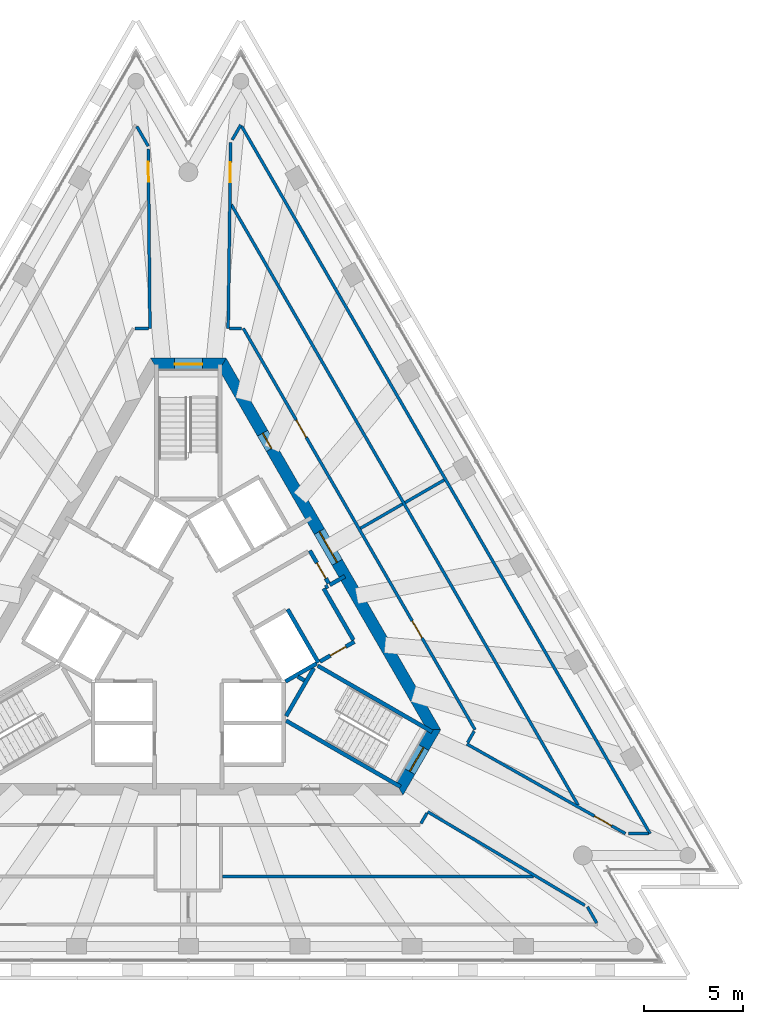
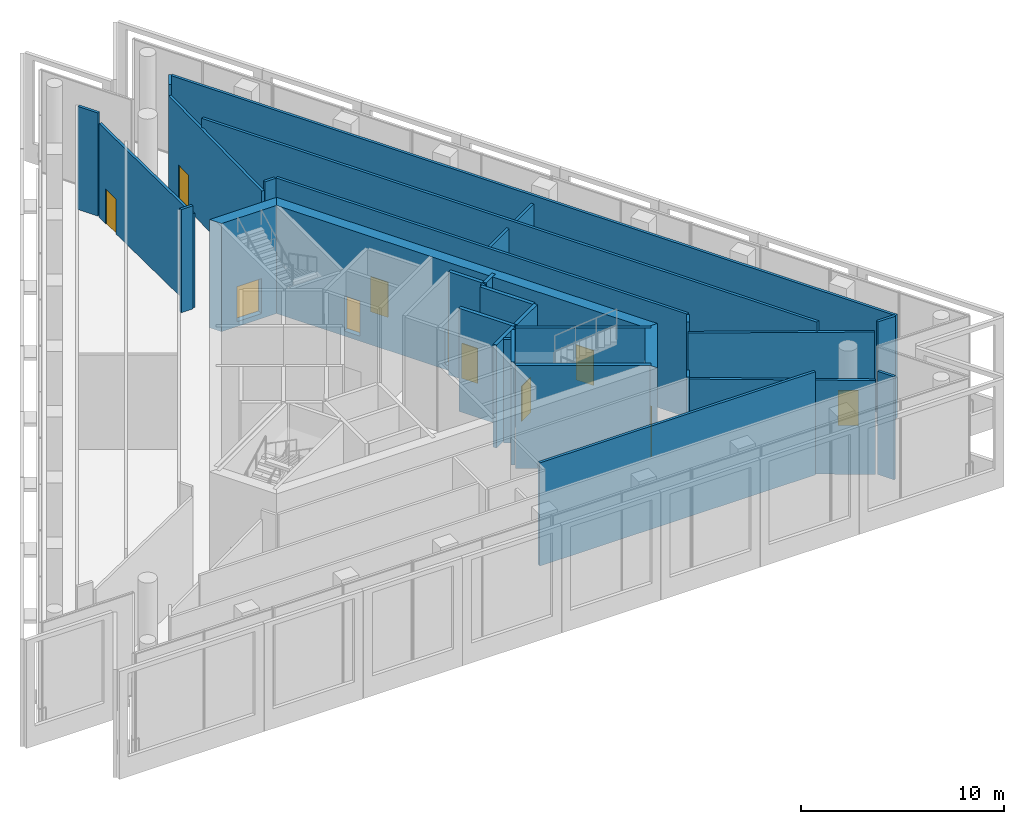
# One storey, part 12 of 16: 32 walls, 11 doors, 11 openings.
"""IFC4 building model written with IfcOpenShell, lengths in metres."""

from ifc_helpers import new_model, si_unit, direction, frame, frame_2d, origin, place, context, subcontext, project, spatial, polyline, rectangle, outline, extrude, material, layer, layer_set, type_object, element, fill, save


model = new_model("IFC4")

# Units and contexts
model_context = context("Model", 3, precision=1e-05, world=origin(), true_north=direction((0.0, 1.0)))
body_context = subcontext(model_context, "Body", "Model", "MODEL_VIEW")
ifc_project = project(units=[si_unit("LENGTHUNIT", "METRE"), si_unit("AREAUNIT", "SQUARE_METRE"), si_unit("VOLUMEUNIT", "CUBIC_METRE"), si_unit("PLANEANGLEUNIT", "RADIAN"), si_unit("MASSUNIT", "GRAM", prefix="KILO")], contexts=[model_context])

# Site, building, storey
site_placement = place(None, origin())
site = spatial("IfcSite", under=ifc_project, at=site_placement, CompositionType="ELEMENT")
building_placement = place(site_placement, origin())
building = spatial("IfcBuilding", under=site, at=building_placement, Name="Triada Interchange Tower", CompositionType="ELEMENT")
storey_placement = place(building_placement, frame((0.0, 0.0, 261.800048828125)))
storey = spatial("IfcBuildingStorey", under=building, at=storey_placement, Name="L61", CompositionType="ELEMENT", Elevation=261.800048828125)

# Walls
ifc_material_1 = material(Name="Concrete C30/37", Category="concrete")
ifc_layer_1 = layer(ifc_material_1, 0.199951171875)
ifc_layer_set_1 = layer_set([ifc_layer_1], Name="CORE WALL 200 EI 120")
wall_type_1 = type_object("IfcWallType", Name="CORE WALL 200 EI 120", PredefinedType="SOLIDWALL", material=ifc_layer_set_1)
wall_1_placement = place(storey_placement, frame((5.007080078125, 0.927978515625, 0.0), z_axis=(0.0, 0.0, 1.0), x_axis=(0.499899694197, -0.866083307622, 0.0)))
element("IfcWall", 1, at=wall_1_placement, inside=storey, type_object=wall_type_1, Name="Wall L61 55", PredefinedType="SOLIDWALL", context=body_context, shape_type="SweptSolid", body=[
    extrude(rectangle(XDim=3.100341796875, YDim=0.199951171875, at=frame_2d((1.55029296875, 0.0))), origin(), (0.0, 0.0, 1.0), 6.199951171875),
])
wall_2_placement = place(storey_placement, frame((7.12890625, 2.153076171875, 0.0), z_axis=(0.0, 0.0, 1.0), x_axis=(0.866083962871, 0.499898558967, 0.0)))
element("IfcWall", 2, at=wall_2_placement, inside=storey, type_object=wall_type_1, Name="Wall L61 57", PredefinedType="SOLIDWALL", context=body_context, shape_type="SweptSolid", body=[
    extrude(rectangle(XDim=0.880126953125, YDim=0.199951171875, at=frame_2d((0.43994140625, 0.0))), origin(), (0.0, 0.0, 1.0), 6.199951171875),
])

# Wall, opening, door
wall_3_placement = place(storey_placement, frame((6.12890625, 3.885009765625, 0.0), z_axis=(0.0, 0.0, 1.0), x_axis=(0.499952260202, -0.866052964615, 0.0)))
wall_3 = element("IfcWall", 3, at=wall_3_placement, inside=storey, type_object=wall_type_1, Name="Wall L61 58", PredefinedType="SOLIDWALL", context=body_context, shape_type="SweptSolid", body=[
    extrude(rectangle(XDim=1.900634765625, YDim=0.199951171875, at=frame_2d((0.9501953125, 0.0))), origin(), (0.0, 0.0, 1.0), 6.199951171875),
])
opening_1_placement = place(wall_3_placement, frame((0.7099609375, 0.0, 0.0)))
opening_1 = element("IfcOpeningElement", 4, at=opening_1_placement, cuts=wall_3, Name="Opening D61-34", PredefinedType="OPENING", context=body_context, shape_type="SweptSolid", body=[
    extrude(rectangle(XDim=0.89990234375, YDim=2.10009765625, at=frame_2d((0.449951171875, 1.050048828125))), frame((0.0, 0.10986328125, 0.0), z_axis=(0.0, -1.0, 0.0), x_axis=(1.0, 0.0, 0.0)), (0.0, 0.0, 1.0), 0.219970703125),
])
ifc_material_2 = material(Name="Steel S235 door leaf", Category="steel")
door_type_1 = type_object("IfcDoorType", Name="SERVICE DOOR 900 EI2 45-C5S200", OperationType="NOTDEFINED", PredefinedType="DOOR", material=ifc_material_2)
door_1_placement = place(opening_1_placement, origin())
door_1 = element("IfcDoor", 5, at=door_1_placement, inside=storey, type_object=door_type_1, Name="Door D61-34 L61", OperationType="SINGLE_SWING_RIGHT", OverallHeight=2.10009765625, OverallWidth=0.89990234375, PredefinedType="DOOR", context=body_context, shape_type="SweptSolid", body=[
    extrude(rectangle(XDim=0.89990234375, YDim=2.10009765625, at=frame_2d((0.449951171875, 1.050048828125))), frame((0.0, 0.02490234375, 0.0), z_axis=(0.0, -1.0, 0.0), x_axis=(1.0, 0.0, 0.0)), (0.0, 0.0, 1.0), 0.050048828125),
])
fill(opening_1, door_1)

# Walls
wall_4_placement = place(storey_placement, frame((4.89990234375, -2.714111328125, 0.0), z_axis=(0.0, 0.0, 1.0), x_axis=(0.865846928409, 0.500309001083, 0.0)))
element("IfcWall", 6, at=wall_4_placement, inside=storey, type_object=wall_type_1, Name="Wall L61 61", PredefinedType="SOLIDWALL", context=body_context, shape_type="SweptSolid", body=[
    extrude(rectangle(XDim=1.813232421875, YDim=0.199951171875, at=frame_2d((0.90673828125, 0.0))), origin(), (0.0, 0.0, 1.0), 6.199951171875),
])
ifc_layer_2 = layer(ifc_material_1, 0.199951171875)
ifc_layer_set_2 = layer_set([ifc_layer_2], Name="CORE WALL 200 EI 90")
wall_type_2 = type_object("IfcWallType", Name="CORE WALL 200 EI 90", PredefinedType="SOLIDWALL", material=ifc_layer_set_2)
wall_5_placement = place(storey_placement, frame((5.52099609375, -2.470947265625, 0.0), z_axis=(0.0, 0.0, 1.0), x_axis=(0.866630806644, -0.498949942355, 0.0)))
element("IfcWall", 7, at=wall_5_placement, inside=storey, type_object=wall_type_2, Name="Wall L61 78", PredefinedType="SOLIDWALL", context=body_context, shape_type="SweptSolid", body=[
    extrude(rectangle(XDim=0.383056640625, YDim=0.199951171875, at=frame_2d((0.19140625, 0.0))), origin(), (0.0, 0.0, 1.0), 6.199951171875),
])

# Wall, opening, door
wall_6_placement = place(storey_placement, frame((6.64208984375, -1.7080078125, 0.0), z_axis=(0.0, 0.0, 1.0), x_axis=(0.866043441391, 0.499968756647, 0.0)))
wall_6 = element("IfcWall", 8, at=wall_6_placement, inside=storey, type_object=wall_type_2, Name="Wall L61 79", PredefinedType="SOLIDWALL", context=body_context, shape_type="SweptSolid", body=[
    extrude(rectangle(XDim=2.002197265625, YDim=0.199951171875, at=frame_2d((1.0009765625, 0.0))), origin(), (0.0, 0.0, 1.0), 6.199951171875),
])
opening_2_placement = place(wall_6_placement, frame((0.60107421875, 0.0, 0.0)))
opening_2 = element("IfcOpeningElement", 9, at=opening_2_placement, cuts=wall_6, Name="Opening D61-33", PredefinedType="OPENING", context=body_context, shape_type="SweptSolid", body=[
    extrude(rectangle(XDim=0.89990234375, YDim=2.10009765625, at=frame_2d((0.449951171875, 1.050048828125))), frame((0.0, 0.10986328125, 0.0), z_axis=(0.0, -1.0, 0.0), x_axis=(1.0, 0.0, 0.0)), (0.0, 0.0, 1.0), 0.219970703125),
])
door_2_placement = place(opening_2_placement, origin())
door_2 = element("IfcDoor", 10, at=door_2_placement, inside=storey, type_object=door_type_1, Name="Door D61-33 L61", OperationType="SINGLE_SWING_LEFT", OverallHeight=2.10009765625, OverallWidth=0.89990234375, PredefinedType="DOOR", context=body_context, shape_type="SweptSolid", body=[
    extrude(rectangle(XDim=0.89990234375, YDim=2.10009765625, at=frame_2d((0.449951171875, 1.050048828125))), frame((0.0, 0.02490234375, 0.0), z_axis=(0.0, -1.0, 0.0), x_axis=(1.0, 0.0, 0.0)), (0.0, 0.0, 1.0), 0.050048828125),
])
fill(opening_2, door_2)

# Walls
wall_7_placement = place(storey_placement, frame((6.825927734375, 1.97802734375, 0.0), z_axis=(0.0, 0.0, 1.0), x_axis=(0.499990139034, -0.866031096941, 0.0)))
element("IfcWall", 11, at=wall_7_placement, inside=storey, type_object=wall_type_2, Name="Wall L61 80", PredefinedType="SOLIDWALL", context=body_context, shape_type="SweptSolid", body=[
    extrude(rectangle(XDim=3.0, YDim=0.199951171875, at=frame_2d((1.5, 0.0))), origin(), (0.0, 0.0, 1.0), 6.199951171875),
])
wall_8_placement = place(storey_placement, frame((6.912109375, 2.028076171875, 0.0), z_axis=(0.0, 0.0, 1.0), x_axis=(0.866559367082, 0.499074005857, 0.0)))
element("IfcWall", 12, at=wall_8_placement, inside=storey, type_object=wall_type_2, Name="Wall L61 81", PredefinedType="SOLIDWALL", context=body_context, shape_type="SweptSolid", body=[
    extrude(rectangle(XDim=0.152099609375, YDim=0.199951171875, at=frame_2d((0.076171875, 0.0))), origin(), (0.0, 0.0, 1.0), 6.199951171875),
])
ifc_layer_3 = layer(ifc_material_1, 0.199951171875)
ifc_layer_set_3 = layer_set([ifc_layer_3], Name="CORE WALL 200 REI 240")
wall_type_3 = type_object("IfcWallType", Name="CORE WALL 200 REI 240", PredefinedType="SOLIDWALL", material=ifc_layer_set_3)
wall_9_placement = place(storey_placement, frame((4.928955078125, -4.4619140625, 0.0), z_axis=(0.0, 0.0, 1.0), x_axis=(0.500200581029, 0.865909567298, 0.0)))
element("IfcWall", 13, at=wall_9_placement, inside=storey, type_object=wall_type_3, Name="Wall L61 88", PredefinedType="SOLIDWALL", context=body_context, shape_type="SweptSolid", body=[
    extrude(rectangle(XDim=2.799072265625, YDim=0.199951171875, at=frame_2d((1.3994140625, 0.0))), origin(), (0.0, 0.0, 1.0), 6.199951171875),
])
wall_10_placement = place(storey_placement, frame((6.529052734375, -1.922119140625, 0.0), z_axis=(0.0, 0.0, 1.0), x_axis=(0.866068467981, -0.499925403204, 0.0)))
element("IfcWall", 14, at=wall_10_placement, inside=storey, type_object=wall_type_3, Name="Wall L61 89", PredefinedType="SOLIDWALL", context=body_context, shape_type="SweptSolid", body=[
    extrude(rectangle(XDim=6.66455078125, YDim=0.199951171875, at=frame_2d((3.332275390625, 0.0))), origin(), (0.0, 0.0, 1.0), 6.199951171875),
])
wall_11_placement = place(storey_placement, frame((4.928955078125, -4.693115234375, 0.0), z_axis=(0.0, 0.0, 1.0), x_axis=(0.866005022404, -0.500035299925, 0.0)))
element("IfcWall", 15, at=wall_11_placement, inside=storey, type_object=wall_type_3, Name="Wall L61 90", PredefinedType="SOLIDWALL", context=body_context, shape_type="SweptSolid", body=[
    extrude(rectangle(XDim=6.6650390625, YDim=0.199951171875, at=frame_2d((3.33251953125, 0.0))), origin(), (0.0, 0.0, 1.0), 6.199951171875),
])

# Wall, opening, door
ifc_material_3 = material(Name="Concrete C40/50", Category="concrete")
ifc_layer_4 = layer(ifc_material_3, 0.60009765625)
ifc_layer_set_4 = layer_set([ifc_layer_4], Name="Core wall D 600")
wall_type_4 = type_object("IfcWallType", Name="Core wall D 600", PredefinedType="SHEAR", material=ifc_layer_set_4)
wall_12_placement = place(storey_placement, frame((1.73193359375, 13.300048828125, -0.300048828125), z_axis=(0.0, 0.0, 1.0), x_axis=(-1.0, 0.0, 0.0)))
wall_12 = element("IfcWall", 16, at=wall_12_placement, inside=storey, type_object=wall_type_4, Name="Core wall WD01 L61", PredefinedType="SHEAR", context=body_context, shape_type="SweptSolid", body=[
    extrude(outline(polyline([(-0.173095703125, -0.300048828125), (1.73193359375, -0.300048828125), (3.636962890625, -0.300048828125), (3.291015625, 0.300048828125), (1.73193359375, 0.300048828125), (0.173095703125, 0.300048828125), (-0.173095703125, -0.300048828125)])), origin(), (0.0, 0.0, 1.0), 6.5),
])
opening_3_placement = place(wall_12_placement, frame((1.031982421875, 0.0, 0.300048828125)))
opening_3 = element("IfcOpeningElement", 17, at=opening_3_placement, cuts=wall_12, Name="Opening D61-25", PredefinedType="OPENING", context=body_context, shape_type="SweptSolid", body=[
    extrude(rectangle(XDim=1.39990234375, YDim=2.10009765625, at=frame_2d((0.699951171875, 1.050048828125))), frame((0.0, 0.31005859375, 0.0), z_axis=(0.0, -1.0, 0.0), x_axis=(1.0, 0.0, 0.0)), (0.0, 0.0, 1.0), 0.6201171875),
])
door_type_2 = type_object("IfcDoorType", Name="STAIR DOOR 1400 EI2 90-C5S200", OperationType="DOUBLE_DOOR_SINGLE_SWING", PredefinedType="DOOR", material=ifc_material_2)
door_3_placement = place(opening_3_placement, origin())
door_3 = element("IfcDoor", 18, at=door_3_placement, inside=storey, type_object=door_type_2, Name="Door D61-25 L61", OperationType="DOUBLE_DOOR_SINGLE_SWING", OverallHeight=2.10009765625, OverallWidth=1.39990234375, PredefinedType="DOOR", context=body_context, shape_type="SweptSolid", body=[
    extrude(rectangle(XDim=1.39990234375, YDim=2.10009765625, at=frame_2d((0.699951171875, 1.050048828125))), frame((0.0, 0.02490234375, 0.0), z_axis=(0.0, -1.0, 0.0), x_axis=(1.0, 0.0, 0.0)), (0.0, 0.0, 1.0), 0.050048828125),
])
fill(opening_3, door_3)

wall_13_placement = place(storey_placement, frame((10.652099609375, -8.14990234375, -0.300048828125), z_axis=(0.0, 0.0, 1.0), x_axis=(0.49997462182, 0.866040055388, 0.0)))
wall_13 = element("IfcWall", 19, at=wall_13_placement, inside=storey, type_object=wall_type_4, Name="Core wall WD05 L61", PredefinedType="SHEAR", context=body_context, shape_type="SweptSolid", body=[
    extrude(outline(polyline([(-0.173095703125, -0.300048828125), (1.732421875, -0.300537109375), (3.637939453125, -0.301025390625), (3.291015625, 0.300048828125), (1.73193359375, 0.300048828125), (0.173095703125, 0.300048828125), (-0.173095703125, -0.300048828125)])), origin(), (0.0, 0.0, 1.0), 6.5),
])
opening_4_placement = place(wall_13_placement, frame((1.031982421875, 0.0, 0.300048828125)))
opening_4 = element("IfcOpeningElement", 20, at=opening_4_placement, cuts=wall_13, Name="Opening D61-27", PredefinedType="OPENING", context=body_context, shape_type="SweptSolid", body=[
    extrude(rectangle(XDim=1.39990234375, YDim=2.10009765625, at=frame_2d((0.699951171875, 1.050048828125))), frame((0.0, 0.31005859375, 0.0), z_axis=(0.0, -1.0, 0.0), x_axis=(1.0, 0.0, 0.0)), (0.0, 0.0, 1.0), 0.62109375),
])
door_4_placement = place(opening_4_placement, origin())
door_4 = element("IfcDoor", 21, at=door_4_placement, inside=storey, type_object=door_type_2, Name="Door D61-27 L61", OperationType="DOUBLE_DOOR_SINGLE_SWING", OverallHeight=2.10009765625, OverallWidth=1.39990234375, PredefinedType="DOOR", context=body_context, shape_type="SweptSolid", body=[
    extrude(rectangle(XDim=1.39990234375, YDim=2.10009765625, at=frame_2d((0.699951171875, 1.050048828125))), frame((0.0, 0.02490234375, 0.0), z_axis=(0.0, -1.0, 0.0), x_axis=(1.0, 0.0, 0.0)), (0.0, 0.0, 1.0), 0.050048828125),
])
fill(opening_4, door_4)

# Wall, openings, doors
wall_14_placement = place(storey_placement, frame((12.384033203125, -5.14990234375, -0.300048828125), z_axis=(0.0, 0.0, 1.0), x_axis=(-0.500000539815, 0.866025092122, 0.0)))
wall_14 = element("IfcWall", 22, at=wall_14_placement, inside=storey, type_object=wall_type_4, Name="Core wall WD06 L61", PredefinedType="SHEAR", context=body_context, shape_type="SweptSolid", body=[
    extrude(outline(polyline([(-0.173095703125, -0.301025390625), (1.795166015625, -0.301025390625), (3.76318359375, -0.30078125), (5.7314453125, -0.30078125), (7.69970703125, -0.30078125), (9.66796875, -0.300537109375), (11.635986328125, -0.300537109375), (13.604248046875, -0.30029296875), (15.572509765625, -0.30029296875), (17.540771484375, -0.30029296875), (19.5087890625, -0.300048828125), (21.47705078125, -0.300048828125), (21.131103515625, 0.300048828125), (19.225830078125, 0.300048828125), (17.320556640625, 0.300048828125), (15.415283203125, 0.300048828125), (13.510009765625, 0.300048828125), (11.604736328125, 0.300048828125), (9.699462890625, 0.300048828125), (7.794189453125, 0.300048828125), (5.888916015625, 0.300048828125), (3.983642578125, 0.300048828125), (2.078369140625, 0.300048828125), (0.173095703125, 0.300048828125), (-0.173095703125, -0.301025390625)])), origin(), (0.0, 0.0, 1.0), 6.5),
])
opening_5_placement = place(wall_14_placement, frame((9.751953125, 0.0, 0.300048828125)))
opening_5 = element("IfcOpeningElement", 23, at=opening_5_placement, cuts=wall_14, Name="Opening D61-24", PredefinedType="OPENING", context=body_context, shape_type="SweptSolid", body=[
    extrude(rectangle(XDim=1.800048828125, YDim=2.10009765625, at=frame_2d((0.89990234375, 1.050048828125))), frame((0.0, 0.31005859375, 0.0), z_axis=(0.0, -1.0, 0.0), x_axis=(1.0, 0.0, 0.0)), (0.0, 0.0, 1.0), 0.62109375),
])
opening_6_placement = place(wall_14_placement, frame((16.3779296875, 0.0, 0.300048828125)))
opening_6 = element("IfcOpeningElement", 24, at=opening_6_placement, cuts=wall_14, Name="Opening D61-31", PredefinedType="OPENING", context=body_context, shape_type="SweptSolid", body=[
    extrude(rectangle(XDim=0.89990234375, YDim=2.10009765625, at=frame_2d((0.449951171875, 1.050048828125))), frame((0.0, 0.31005859375, 0.0), z_axis=(0.0, -1.0, 0.0), x_axis=(1.0, 0.0, 0.0)), (0.0, 0.0, 1.0), 0.62109375),
])
door_type_3 = type_object("IfcDoorType", Name="LOBBY DOOR 1800 EI2 90-C5S200", OperationType="DOUBLE_DOOR_SINGLE_SWING", PredefinedType="DOOR", material=ifc_material_2)
door_5_placement = place(opening_5_placement, origin())
door_5 = element("IfcDoor", 25, at=door_5_placement, inside=storey, type_object=door_type_3, Name="Door D61-24 L61", OperationType="DOUBLE_DOOR_SINGLE_SWING", OverallHeight=2.10009765625, OverallWidth=1.800048828125, PredefinedType="DOOR", context=body_context, shape_type="SweptSolid", body=[
    extrude(rectangle(XDim=1.800048828125, YDim=2.10009765625, at=frame_2d((0.89990234375, 1.050048828125))), frame((0.0, 0.02490234375, 0.0), z_axis=(0.0, -1.0, 0.0), x_axis=(1.0, 0.0, 0.0)), (0.0, 0.0, 1.0), 0.050048828125),
])
fill(opening_5, door_5)
door_type_4 = type_object("IfcDoorType", Name="RISER ACCESS DOOR 900 EI2 45-C5S200", OperationType="NOTDEFINED", PredefinedType="DOOR", material=ifc_material_2)
door_6_placement = place(opening_6_placement, origin())
door_6 = element("IfcDoor", 26, at=door_6_placement, inside=storey, type_object=door_type_4, Name="Door D61-31 L61", OperationType="SINGLE_SWING_RIGHT", OverallHeight=2.10009765625, OverallWidth=0.89990234375, PredefinedType="DOOR", context=body_context, shape_type="SweptSolid", body=[
    extrude(rectangle(XDim=0.89990234375, YDim=2.10009765625, at=frame_2d((0.449951171875, 1.050048828125))), frame((0.0, 0.02490234375, 0.0), z_axis=(0.0, -1.0, 0.0), x_axis=(1.0, 0.0, 0.0)), (0.0, 0.0, 1.0), 0.050048828125),
])
fill(opening_6, door_6)

# Wall
ifc_material_4 = material(Name="Gypsum board partition")
ifc_layer_5 = layer(ifc_material_4, 0.14990234375)
ifc_layer_set_5 = layer_set([ifc_layer_5], Name="PARTITION 150")
wall_type_5 = type_object("IfcWallType", Name="PARTITION 150", PredefinedType="PARTITIONING", material=ifc_layer_set_5)
wall_15_placement = place(storey_placement, frame((20.134033203125, -14.0869140625, 0.0), z_axis=(0.0, 0.0, 1.0), x_axis=(0.499242408381, -0.866462357909, 0.0)))
element("IfcWall", 27, at=wall_15_placement, inside=storey, type_object=wall_type_5, Name="Wall L61 26", PredefinedType="PARTITIONING", context=body_context, shape_type="SweptSolid", body=[
    extrude(rectangle(XDim=0.939453125, YDim=0.14990234375, at=frame_2d((0.4697265625, 0.0))), origin(), (0.0, 0.0, 1.0), 6.199951171875),
])

# Wall, opening, door
ifc_layer_6 = layer(ifc_material_4, 0.14990234375)
ifc_layer_set_6 = layer_set([ifc_layer_6], Name="PARTITION 150 EI 180")
wall_type_6 = type_object("IfcWallType", Name="PARTITION 150 EI 180", PredefinedType="PARTITIONING", material=ifc_layer_set_6)
wall_16_placement = place(storey_placement, frame((2.006103515625, 15.10009765625, 0.0), z_axis=(0.0, 0.0, 1.0), x_axis=(0.013533377882, 0.999908419648, 0.0)))
wall_16 = element("IfcWall", 28, at=wall_16_placement, inside=storey, type_object=wall_type_6, Name="Wall L61 1", PredefinedType="PARTITIONING", context=body_context, shape_type="SweptSolid", body=[
    extrude(rectangle(XDim=9.380859375, YDim=0.14990234375, at=frame_2d((4.6904296875, 0.0))), origin(), (0.0, 0.0, 1.0), 5.64990234375),
])
opening_7_placement = place(wall_16_placement, frame((7.3759765625, 0.0, 0.0)))
opening_7 = element("IfcOpeningElement", 29, at=opening_7_placement, cuts=wall_16, Name="Opening D61-15", PredefinedType="OPENING", context=body_context, shape_type="SweptSolid", body=[
    extrude(rectangle(XDim=1.0, YDim=2.10009765625, at=frame_2d((0.5, 1.050048828125))), frame((0.0, 0.0849609375, 0.0), z_axis=(0.0, -1.0, 0.0), x_axis=(1.0, 0.0, 0.0)), (0.0, 0.0, 1.0), 0.169921875),
])
door_type_5 = type_object("IfcDoorType", Name="ROOM DOOR 1000 EI2 45-C5S200", OperationType="NOTDEFINED", PredefinedType="DOOR", material=ifc_material_2)
door_7_placement = place(opening_7_placement, origin())
door_7 = element("IfcDoor", 30, at=door_7_placement, inside=storey, type_object=door_type_5, Name="Door D61-15 L61", OperationType="SINGLE_SWING_LEFT", OverallHeight=2.10009765625, OverallWidth=1.0, PredefinedType="DOOR", context=body_context, shape_type="SweptSolid", body=[
    extrude(rectangle(XDim=1.0, YDim=2.10009765625, at=frame_2d((0.5, 1.050048828125))), frame((0.0, 0.02490234375, 0.0), z_axis=(0.0, -1.0, 0.0), x_axis=(1.0, 0.0, 0.0)), (0.0, 0.0, 1.0), 0.050048828125),
])
fill(opening_7, door_7)

# Walls
wall_17_placement = place(storey_placement, frame((2.2099609375, 24.613037109375, 0.0), z_axis=(0.0, 0.0, 1.0), x_axis=(0.500174946218, 0.865924374975, 0.0)))
element("IfcWall", 31, at=wall_17_placement, inside=storey, type_object=wall_type_6, Name="Wall L61 2", PredefinedType="PARTITIONING", context=body_context, shape_type="SweptSolid", body=[
    extrude(rectangle(XDim=0.871826171875, YDim=0.14990234375, at=frame_2d((0.43603515625, 0.0))), origin(), (0.0, 0.0, 1.0), 6.199951171875),
])
wall_18_placement = place(storey_placement, frame((2.68896484375, 25.29296875, 0.0), z_axis=(0.0, 0.0, 1.0), x_axis=(0.500022309378, -0.866012523076, 0.0)))
element("IfcWall", 32, at=wall_18_placement, inside=storey, type_object=wall_type_6, Name="Wall L61 3", PredefinedType="PARTITIONING", context=body_context, shape_type="SweptSolid", body=[
    extrude(rectangle(XDim=41.2060546875, YDim=0.14990234375, at=frame_2d((20.60302734375, 0.0))), origin(), (0.0, 0.0, 1.0), 6.199951171875),
])

# Wall, openings, doors
wall_19_placement = place(storey_placement, frame((2.77099609375, 15.10009765625, 0.0), z_axis=(0.0, 0.0, 1.0), x_axis=(0.500017691629, -0.866015189277, 0.0)))
wall_19 = element("IfcWall", 33, at=wall_19_placement, inside=storey, type_object=wall_type_6, Name="Wall L61 4", PredefinedType="PARTITIONING", context=body_context, shape_type="SweptSolid", body=[
    extrude(rectangle(XDim=23.383056640625, YDim=0.14990234375, at=frame_2d((11.69140625, 0.0))), origin(), (0.0, 0.0, 1.0), 6.199951171875),
])
opening_8_placement = place(wall_19_placement, frame((17.037109375, 0.0, 0.0)))
opening_8 = element("IfcOpeningElement", 34, at=opening_8_placement, cuts=wall_19, Name="Opening D61-12", PredefinedType="OPENING", context=body_context, shape_type="SweptSolid", body=[
    extrude(rectangle(XDim=1.0, YDim=2.10009765625, at=frame_2d((0.5, 1.050048828125))), frame((0.0, 0.0849609375, 0.0), z_axis=(0.0, -1.0, 0.0), x_axis=(1.0, 0.0, 0.0)), (0.0, 0.0, 1.0), 0.169921875),
])
opening_9_placement = place(wall_19_placement, frame((5.345947265625, 0.0, 0.0)))
opening_9 = element("IfcOpeningElement", 35, at=opening_9_placement, cuts=wall_19, Name="Opening D61-13", PredefinedType="OPENING", context=body_context, shape_type="SweptSolid", body=[
    extrude(rectangle(XDim=1.0, YDim=2.10009765625, at=frame_2d((0.5, 1.050048828125))), frame((0.0, 0.0849609375, 0.0), z_axis=(0.0, -1.0, 0.0), x_axis=(1.0, 0.0, 0.0)), (0.0, 0.0, 1.0), 0.169921875),
])
door_8_placement = place(opening_8_placement, origin())
door_8 = element("IfcDoor", 36, at=door_8_placement, inside=storey, type_object=door_type_5, Name="Door D61-12 L61", OperationType="SINGLE_SWING_RIGHT", OverallHeight=2.10009765625, OverallWidth=1.0, PredefinedType="DOOR", context=body_context, shape_type="SweptSolid", body=[
    extrude(rectangle(XDim=1.0, YDim=2.10009765625, at=frame_2d((0.5, 1.050048828125))), frame((0.0, 0.02490234375, 0.0), z_axis=(0.0, -1.0, 0.0), x_axis=(1.0, 0.0, 0.0)), (0.0, 0.0, 1.0), 0.050048828125),
])
fill(opening_8, door_8)
door_9_placement = place(opening_9_placement, origin())
door_9 = element("IfcDoor", 37, at=door_9_placement, inside=storey, type_object=door_type_5, Name="Door D61-13 L61", OperationType="SINGLE_SWING_LEFT", OverallHeight=2.10009765625, OverallWidth=1.0, PredefinedType="DOOR", context=body_context, shape_type="SweptSolid", body=[
    extrude(rectangle(XDim=1.0, YDim=2.10009765625, at=frame_2d((0.5, 1.050048828125))), frame((0.0, 0.02490234375, 0.0), z_axis=(0.0, -1.0, 0.0), x_axis=(1.0, 0.0, 0.0)), (0.0, 0.0, 1.0), 0.050048828125),
])
fill(opening_9, door_9)

# Walls
wall_20_placement = place(storey_placement, frame((2.0810546875, 15.10009765625, 0.0), z_axis=(0.0, 0.0, 1.0), x_axis=(1.0, 0.0, 0.0)))
element("IfcWall", 38, at=wall_20_placement, inside=storey, type_object=wall_type_6, Name="Wall L61 5", PredefinedType="PARTITIONING", context=body_context, shape_type="SweptSolid", body=[
    extrude(rectangle(XDim=0.60400390625, YDim=0.14990234375, at=frame_2d((0.302001953125, 0.0))), origin(), (0.0, 0.0, 1.0), 6.199951171875),
])
wall_21_placement = place(storey_placement, frame((2.166015625, 21.34912109375, 0.0), z_axis=(0.0, 0.0, 1.0), x_axis=(0.499984980739, -0.866034074985, 0.0)))
element("IfcWall", 39, at=wall_21_placement, inside=storey, type_object=wall_type_6, Name="Wall L61 6", PredefinedType="PARTITIONING", context=body_context, shape_type="SweptSolid", body=[
    extrude(rectangle(XDim=34.99072265625, YDim=0.14990234375, at=frame_2d((17.495361328125, 0.0))), origin(), (0.0, 0.0, 1.0), 6.199951171875),
])
wall_22_placement = place(storey_placement, frame((8.681884765625, 5.011962890625, 0.0), z_axis=(0.0, 0.0, 1.0), x_axis=(0.8660395779, 0.499975448907, 0.0)))
element("IfcWall", 40, at=wall_22_placement, inside=storey, type_object=wall_type_6, Name="Wall L61 7", PredefinedType="PARTITIONING", context=body_context, shape_type="SweptSolid", body=[
    extrude(rectangle(XDim=2.4501953125, YDim=0.14990234375, at=frame_2d((1.22509765625, 0.0))), origin(), (0.0, 0.0, 1.0), 5.699951171875),
])
wall_23_placement = place(storey_placement, frame((10.93408203125, 6.31201171875, 0.0), z_axis=(0.0, 0.0, 1.0), x_axis=(0.866023021914, 0.500004125498, 0.0)))
element("IfcWall", 41, at=wall_23_placement, inside=storey, type_object=wall_type_6, Name="Wall L61 8", PredefinedType="PARTITIONING", context=body_context, shape_type="SweptSolid", body=[
    extrude(rectangle(XDim=2.27587890625, YDim=0.14990234375, at=frame_2d((1.137939453125, 0.0))), origin(), (0.0, 0.0, 1.0), 5.699951171875),
])

# Wall, opening, door
wall_24_placement = place(storey_placement, frame((14.048095703125, -5.868896484375, 0.0), z_axis=(0.0, 0.0, 1.0), x_axis=(0.870623660774, -0.491949632889, 0.0)))
wall_24 = element("IfcWall", 42, at=wall_24_placement, inside=storey, type_object=wall_type_6, Name="Wall L61 9", PredefinedType="PARTITIONING", context=body_context, shape_type="SweptSolid", body=[
    extrude(rectangle(XDim=9.1943359375, YDim=0.14990234375, at=frame_2d((4.59716796875, 0.0))), origin(), (0.0, 0.0, 1.0), 5.64990234375),
])
opening_10_placement = place(wall_24_placement, frame((7.39501953125, 0.0, 0.0)))
opening_10 = element("IfcOpeningElement", 43, at=opening_10_placement, cuts=wall_24, Name="Opening D61-14", PredefinedType="OPENING", context=body_context, shape_type="SweptSolid", body=[
    extrude(rectangle(XDim=1.0, YDim=2.10009765625, at=frame_2d((0.5, 1.050048828125))), frame((0.0, 0.0849609375, 0.0), z_axis=(0.0, -1.0, 0.0), x_axis=(1.0, 0.0, 0.0)), (0.0, 0.0, 1.0), 0.169921875),
])
door_10_placement = place(opening_10_placement, origin())
door_10 = element("IfcDoor", 44, at=door_10_placement, inside=storey, type_object=door_type_5, Name="Door D61-14 L61", OperationType="SINGLE_SWING_LEFT", OverallHeight=2.10009765625, OverallWidth=1.0, PredefinedType="DOOR", context=body_context, shape_type="SweptSolid", body=[
    extrude(rectangle(XDim=1.0, YDim=2.10009765625, at=frame_2d((0.5, 1.050048828125))), frame((0.0, 0.02490234375, 0.0), z_axis=(0.0, -1.0, 0.0), x_axis=(1.0, 0.0, 0.0)), (0.0, 0.0, 1.0), 0.050048828125),
])
fill(opening_10, door_10)

# Walls
wall_25_placement = place(storey_placement, frame((14.0849609375, -5.803955078125, 0.0), z_axis=(0.0, 0.0, 1.0), x_axis=(0.49975407885, 0.866167339879, 0.0)))
element("IfcWall", 45, at=wall_25_placement, inside=storey, type_object=wall_type_6, Name="Wall L61 10", PredefinedType="PARTITIONING", context=body_context, shape_type="SweptSolid", body=[
    extrude(rectangle(XDim=0.668212890625, YDim=0.14990234375, at=frame_2d((0.333984375, 0.0))), origin(), (0.0, 0.0, 1.0), 6.199951171875),
])
wall_26_placement = place(storey_placement, frame((22.2060546875, -10.39208984375, 0.0), z_axis=(0.0, 0.0, 1.0), x_axis=(1.0, 0.0, 0.0)))
element("IfcWall", 46, at=wall_26_placement, inside=storey, type_object=wall_type_6, Name="Wall L61 11", PredefinedType="PARTITIONING", context=body_context, shape_type="SweptSolid", body=[
    extrude(rectangle(XDim=1.0, YDim=0.14990234375, at=frame_2d((0.5, 0.0))), origin(), (0.0, 0.0, 1.0), 6.199951171875),
])
ifc_layer_7 = layer(ifc_material_4, 0.14990234375)
ifc_layer_set_7 = layer_set([ifc_layer_7], Name="PARTITION 150 EI 90")
wall_type_7 = type_object("IfcWallType", Name="PARTITION 150 EI 90", PredefinedType="PARTITIONING", material=ifc_layer_set_7)
wall_27_placement = place(storey_placement, frame((1.72509765625, -12.550048828125, 0.0), z_axis=(0.0, 0.0, 1.0), x_axis=(1.0, 0.0, 0.0)))
element("IfcWall", 47, at=wall_27_placement, inside=storey, type_object=wall_type_7, Name="Wall L61 24", PredefinedType="PARTITIONING", context=body_context, shape_type="SweptSolid", body=[
    extrude(rectangle(XDim=15.680908203125, YDim=0.14990234375, at=frame_2d((7.84033203125, 0.0))), origin(), (0.0, 0.0, 1.0), 6.199951171875),
])
wall_28_placement = place(storey_placement, frame((-2.60302734375, 25.29296875, 0.0), z_axis=(0.0, 0.0, 1.0), x_axis=(0.500602142151, -0.865677477629, 0.0)))
element("IfcWall", 48, at=wall_28_placement, inside=storey, type_object=wall_type_7, Name="Wall L61 25", PredefinedType="PARTITIONING", context=body_context, shape_type="SweptSolid", body=[
    extrude(rectangle(XDim=1.15283203125, YDim=0.14990234375, at=frame_2d((0.576416015625, 0.0))), origin(), (0.0, 0.0, 1.0), 6.199951171875),
])

# Wall, opening, door
wall_29_placement = place(storey_placement, frame((-2.02490234375, 24.14208984375, 0.0), z_axis=(0.0, 0.0, 1.0), x_axis=(0.00928785944, -0.999956866903, 0.0)))
wall_29 = element("IfcWall", 49, at=wall_29_placement, inside=storey, type_object=wall_type_7, Name="Wall L61 27", PredefinedType="PARTITIONING", context=body_context, shape_type="SweptSolid", body=[
    extrude(rectangle(XDim=9.04248046875, YDim=0.14990234375, at=frame_2d((4.521240234375, 0.0))), origin(), (0.0, 0.0, 1.0), 5.64990234375),
])
opening_11_placement = place(wall_29_placement, frame((0.64697265625, 0.0, 0.0)))
opening_11 = element("IfcOpeningElement", 50, at=opening_11_placement, cuts=wall_29, Name="Opening D61-22", PredefinedType="OPENING", context=body_context, shape_type="SweptSolid", body=[
    extrude(rectangle(XDim=1.0, YDim=2.10009765625, at=frame_2d((0.5, 1.050048828125))), frame((0.0, 0.0849609375, 0.0), z_axis=(0.0, -1.0, 0.0), x_axis=(1.0, 0.0, 0.0)), (0.0, 0.0, 1.0), 0.169921875),
])
door_type_6 = type_object("IfcDoorType", Name="ROOM DOOR 1000 EI2 90-C5S200", OperationType="NOTDEFINED", PredefinedType="DOOR", material=ifc_material_2)
door_11_placement = place(opening_11_placement, origin())
door_11 = element("IfcDoor", 51, at=door_11_placement, inside=storey, type_object=door_type_6, Name="Door D61-22 L61", OperationType="SINGLE_SWING_LEFT", OverallHeight=2.10009765625, OverallWidth=1.0, PredefinedType="DOOR", context=body_context, shape_type="SweptSolid", body=[
    extrude(rectangle(XDim=1.0, YDim=2.10009765625, at=frame_2d((0.5, 1.050048828125))), frame((0.0, 0.02490234375, 0.0), z_axis=(0.0, -1.0, 0.0), x_axis=(1.0, 0.0, 0.0)), (0.0, 0.0, 1.0), 0.050048828125),
])
fill(opening_11, door_11)

# Walls
wall_30_placement = place(storey_placement, frame((-2.68505859375, 15.10009765625, 0.0), z_axis=(0.0, 0.0, 1.0), x_axis=(1.0, 0.0, 0.0)))
element("IfcWall", 52, at=wall_30_placement, inside=storey, type_object=wall_type_7, Name="Wall L61 30", PredefinedType="PARTITIONING", context=body_context, shape_type="SweptSolid", body=[
    extrude(rectangle(XDim=0.6689453125, YDim=0.14990234375, at=frame_2d((0.33447265625, 0.0))), origin(), (0.0, 0.0, 1.0), 6.199951171875),
])
wall_31_placement = place(storey_placement, frame((12.073974609375, -9.287109375, 0.0), z_axis=(0.0, 0.0, 1.0), x_axis=(0.859127534181, -0.511761546047, 0.0)))
element("IfcWall", 53, at=wall_31_placement, inside=storey, type_object=wall_type_7, Name="Wall L61 34", PredefinedType="PARTITIONING", context=body_context, shape_type="SweptSolid", body=[
    extrude(rectangle(XDim=9.226806640625, YDim=0.14990234375, at=frame_2d((4.61328125, 0.0))), origin(), (0.0, 0.0, 1.0), 5.64990234375),
])
wall_32_placement = place(storey_placement, frame((11.735107421875, -9.875, 0.0), z_axis=(0.0, 0.0, 1.0), x_axis=(0.500095727698, 0.865970128318, 0.0)))
element("IfcWall", 54, at=wall_32_placement, inside=storey, type_object=wall_type_7, Name="Wall L61 36", PredefinedType="PARTITIONING", context=body_context, shape_type="SweptSolid", body=[
    extrude(rectangle(XDim=0.60400390625, YDim=0.14990234375, at=frame_2d((0.302001953125, 0.0))), origin(), (0.0, 0.0, 1.0), 6.199951171875),
])

save(model, "model.ifc")
